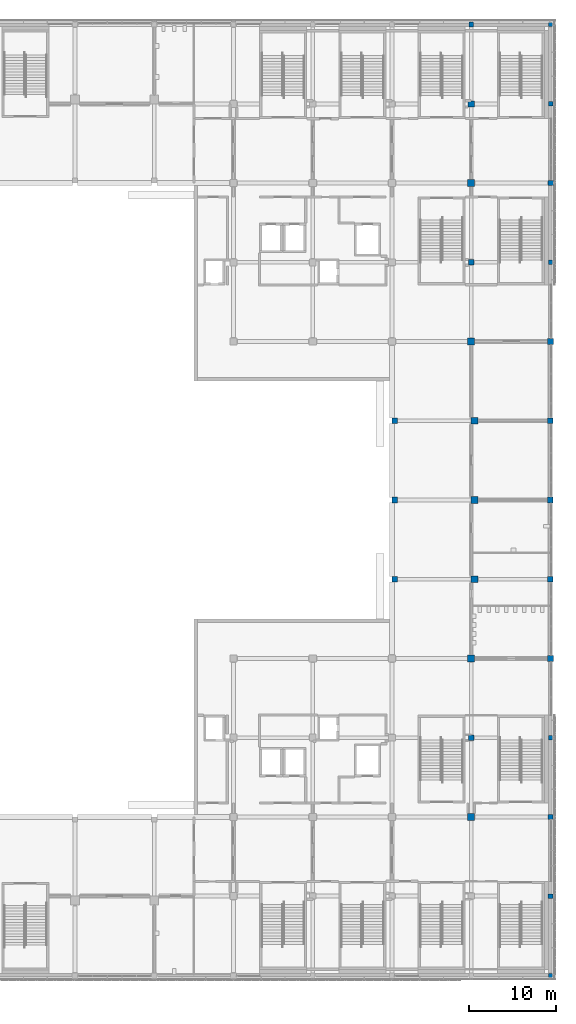
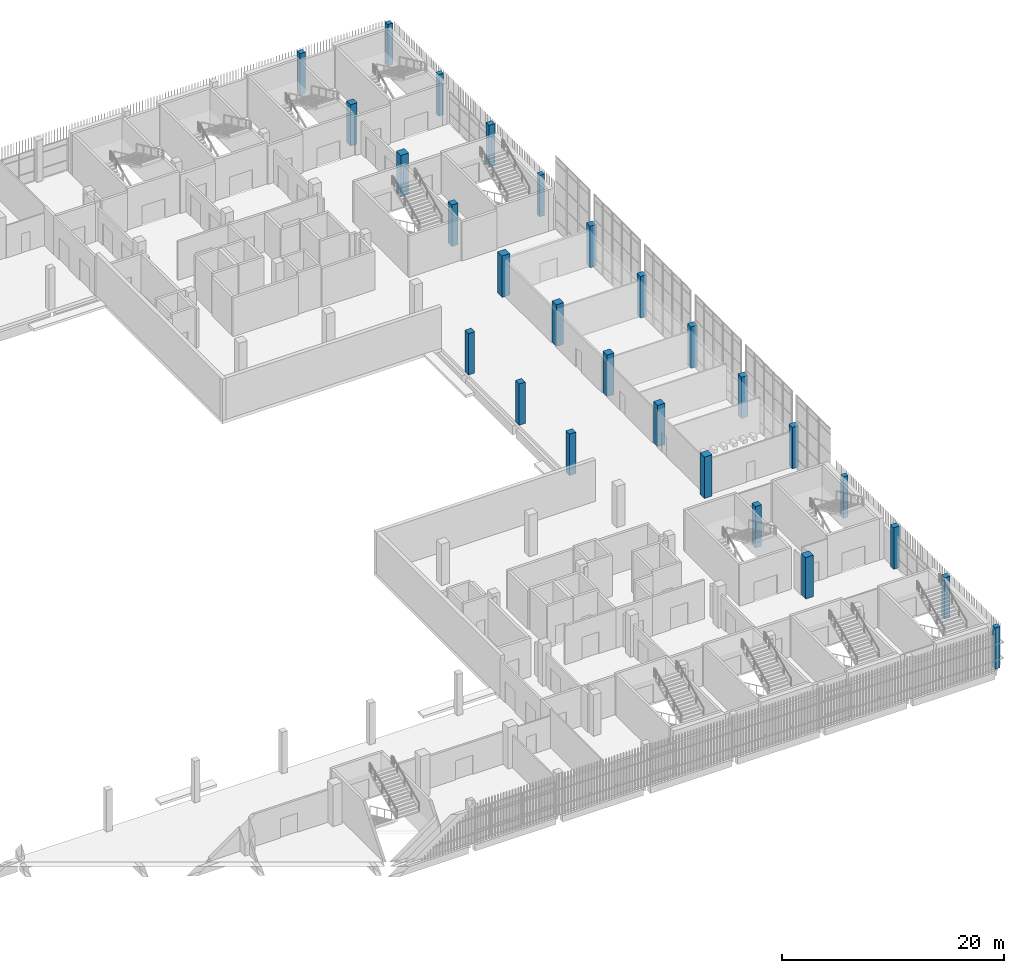
# One storey, part 2 of 126: 27 columns.
"""IFC4 building model written with IfcOpenShell, lengths in metres."""

from ifc_helpers import new_model, si_unit, direction, frame, origin, origin_2d, place, context, subcontext, project, spatial, rectangle, extrude, material, material_profile, profile_set, type_object, element, save


model = new_model("IFC4")

# Units and contexts
model_context = context("Model", 3, precision=1e-05, world=origin(), true_north=direction((0.0, 1.0)))
body_context = subcontext(model_context, "Body", "Model", "MODEL_VIEW")
ifc_project = project(units=[si_unit("LENGTHUNIT", "METRE"), si_unit("AREAUNIT", "SQUARE_METRE"), si_unit("VOLUMEUNIT", "CUBIC_METRE"), si_unit("PLANEANGLEUNIT", "RADIAN"), si_unit("MASSUNIT", "GRAM", prefix="KILO")], contexts=[model_context])

# Site, building, storey
site_placement = place(None, origin())
site = spatial("IfcSite", under=ifc_project, at=site_placement, CompositionType="ELEMENT")
building_placement = place(site_placement, origin())
building = spatial("IfcBuilding", under=site, at=building_placement, Name="Shirokan Park Arena", CompositionType="ELEMENT")
storey_placement = place(building_placement, frame((0.0, 0.0, 6.3701171875)))
storey = spatial("IfcBuildingStorey", under=building, at=storey_placement, Name="L01", CompositionType="ELEMENT", Elevation=6.3701171875)

# Columns
ifc_material = material(Name="Concrete C35", Category="concrete")
ifc_material_profile_1 = material_profile(ifc_material, rectangle(XDim=0.5, YDim=0.5, at=origin_2d()), Name="500x500")
ifc_profile_set_1 = profile_set([ifc_material_profile_1], Name="Concrete C35")
column_type_1 = type_object("IfcColumnType", Name="RC column 500x500", PredefinedType="COLUMN", material=ifc_profile_set_1)
for number, where, z_axis, x_axis, name in (
    (1, (145.60009765625, 0.0, 0.0), (0.0, 0.0, 1.0), (1.0, 0.0, 0.0), "Column 17A L01"),
    (2, (145.60009765625, 27.300048828125, 0.0), (0.0, 0.0, 1.0), (1.0, 0.0, 0.0), "Column 17D L01"),
    (3, (145.60009765625, 81.89990234375, 0.0), (0.0, 0.0, 1.0), (1.0, 0.0, 0.0), "Column 17K L01"),
    (4, (145.625, 100.10009765625, 0.0), (0.0, 0.0, 1.0), (1.0, 0.0, 0.0), "Column 17M L01"),
    (5, (145.60009765625, 109.199951171875, 0.0), (0.0, 0.0, 1.0), (1.0, 0.0, 0.0), "Column 17N L01"),
):
    element("IfcColumn", number, at=place(storey_placement, frame(where, z_axis=z_axis, x_axis=x_axis)), inside=storey, type_object=column_type_1, Name=name, PredefinedType="COLUMN", context=body_context, shape_type="SweptSolid", body=[
        extrude(rectangle(XDim=0.5, YDim=0.5, at=origin_2d()), origin(), (0.0, 0.0, 1.0), 4.5498046875),
    ])
ifc_material_profile_2 = material_profile(ifc_material, rectangle(XDim=0.550048828125, YDim=0.550048828125, at=origin_2d()), Name="550x550")
ifc_profile_set_2 = profile_set([ifc_material_profile_2], Name="Concrete C35")
column_type_2 = type_object("IfcColumnType", Name="RC column 550x550", PredefinedType="COLUMN", material=ifc_profile_set_2)
for number, where, z_axis, x_axis, name in (
    (6, (136.5, 109.199951171875, 0.0), (0.0, 0.0, 1.0), (1.0, 0.0, 0.0), "Column 16N L01"),
    (7, (145.60009765625, 9.10009765625, 0.0), (0.0, 0.0, 1.0), (1.0, 0.0, 0.0), "Column 17B L01"),
):
    element("IfcColumn", number, at=place(storey_placement, frame(where, z_axis=z_axis, x_axis=x_axis)), inside=storey, type_object=column_type_2, Name=name, PredefinedType="COLUMN", context=body_context, shape_type="SweptSolid", body=[
        extrude(rectangle(XDim=0.550048828125, YDim=0.550048828125, at=origin_2d()), origin(), (0.0, 0.0, 1.0), 4.5498046875),
    ])
ifc_material_profile_3 = material_profile(ifc_material, rectangle(XDim=0.60009765625, YDim=0.60009765625, at=origin_2d()), Name="600x600")
ifc_profile_set_3 = profile_set([ifc_material_profile_3], Name="Concrete C35")
column_type_3 = type_object("IfcColumnType", Name="RC column 600x600", PredefinedType="COLUMN", material=ifc_profile_set_3)
for number, where, z_axis, x_axis, name in (
    (8, (145.60009765625, 18.199951171875, 0.0), (0.0, 0.0, 1.0), (1.0, 0.0, 0.0), "Column 17C L01"),
    (9, (145.625, 91.0, 0.0), (0.0, 0.0, 1.0), (1.0, 0.0, 0.0), "Column 17L L01"),
):
    element("IfcColumn", number, at=place(storey_placement, frame(where, z_axis=z_axis, x_axis=x_axis)), inside=storey, type_object=column_type_3, Name=name, PredefinedType="COLUMN", context=body_context, shape_type="SweptSolid", body=[
        extrude(rectangle(XDim=0.60009765625, YDim=0.60009765625, at=origin_2d()), origin(), (0.0, 0.0, 1.0), 4.5498046875),
    ])
ifc_material_profile_4 = material_profile(ifc_material, rectangle(XDim=0.64990234375, YDim=0.64990234375, at=origin_2d()), Name="650x650")
ifc_profile_set_4 = profile_set([ifc_material_profile_4], Name="Concrete C35")
column_type_4 = type_object("IfcColumnType", Name="RC column 650x650", PredefinedType="COLUMN", material=ifc_profile_set_4)
for number, where, z_axis, x_axis, name in (
    (10, (127.72509765625, 45.5, 0.0), (0.0, 0.0, 1.0), (1.0, 0.0, 0.0), "Column 15F L01"),
    (11, (127.72509765625, 54.60009765625, 0.0), (0.0, 0.0, 1.0), (1.0, 0.0, 0.0), "Column 15G L01"),
    (12, (127.72509765625, 63.699951171875, 0.0), (0.0, 0.0, 1.0), (1.0, 0.0, 0.0), "Column 15H L01"),
    (13, (136.5, 27.300048828125, 0.0), (0.0, 0.0, 1.0), (1.0, 0.0, 0.0), "Column 16D L01"),
    (14, (136.5, 81.89990234375, 0.0), (0.0, 0.0, 1.0), (1.0, 0.0, 0.0), "Column 16K L01"),
    (15, (145.60009765625, 36.39990234375, 0.0), (0.0, 0.0, 1.0), (1.0, 0.0, 0.0), "Column 17E L01"),
    (16, (145.574951171875, 45.5, 0.0), (0.0, 0.0, 1.0), (1.0, 0.0, 0.0), "Column 17F L01"),
    (17, (145.574951171875, 54.60009765625, 0.0), (0.0, 0.0, 1.0), (1.0, 0.0, 0.0), "Column 17G L01"),
    (18, (145.574951171875, 63.699951171875, 0.0), (0.0, 0.0, 1.0), (1.0, 0.0, 0.0), "Column 17H L01"),
    (19, (145.60009765625, 72.800048828125, 0.0), (0.0, 0.0, 1.0), (1.0, 0.0, 0.0), "Column 17J L01"),
):
    element("IfcColumn", number, at=place(storey_placement, frame(where, z_axis=z_axis, x_axis=x_axis)), inside=storey, type_object=column_type_4, Name=name, PredefinedType="COLUMN", context=body_context, shape_type="SweptSolid", body=[
        extrude(rectangle(XDim=0.64990234375, YDim=0.64990234375, at=origin_2d()), origin(), (0.0, 0.0, 1.0), 4.5498046875),
    ])
ifc_material_profile_5 = material_profile(ifc_material, rectangle(XDim=0.699951171875, YDim=0.699951171875, at=origin_2d()), Name="700x700")
ifc_profile_set_5 = profile_set([ifc_material_profile_5], Name="Concrete C35")
column_type_5 = type_object("IfcColumnType", Name="RC column 700x700", PredefinedType="COLUMN", material=ifc_profile_set_5)
column_placement = place(storey_placement, frame((136.5, 100.10009765625, 0.0), z_axis=(0.0, 0.0, 1.0), x_axis=(1.0, 0.0, 0.0)))
element("IfcColumn", 20, at=column_placement, inside=storey, type_object=column_type_5, Name="Column 16M L01", PredefinedType="COLUMN", context=body_context, shape_type="SweptSolid", body=[
    extrude(rectangle(XDim=0.699951171875, YDim=0.699951171875, at=origin_2d()), origin(), (0.0, 0.0, 1.0), 4.5498046875),
])
ifc_material_profile_6 = material_profile(ifc_material, rectangle(XDim=0.75, YDim=0.75, at=origin_2d()), Name="750x750")
ifc_profile_set_6 = profile_set([ifc_material_profile_6], Name="Concrete C35")
column_type_6 = type_object("IfcColumnType", Name="RC column 750x750", PredefinedType="COLUMN", material=ifc_profile_set_6)
for number, where, z_axis, x_axis, name in (
    (21, (136.875, 45.5, 0.0), (0.0, 0.0, 1.0), (1.0, 0.0, 0.0), "Column 16F L01"),
    (22, (136.875, 54.60009765625, 0.0), (0.0, 0.0, 1.0), (1.0, 0.0, 0.0), "Column 16G L01"),
    (23, (136.875, 63.699951171875, 0.0), (0.0, 0.0, 1.0), (1.0, 0.0, 0.0), "Column 16H L01"),
):
    element("IfcColumn", number, at=place(storey_placement, frame(where, z_axis=z_axis, x_axis=x_axis)), inside=storey, type_object=column_type_6, Name=name, PredefinedType="COLUMN", context=body_context, shape_type="SweptSolid", body=[
        extrude(rectangle(XDim=0.75, YDim=0.75, at=origin_2d()), origin(), (0.0, 0.0, 1.0), 4.5498046875),
    ])
ifc_material_profile_7 = material_profile(ifc_material, rectangle(XDim=0.800048828125, YDim=0.800048828125, at=origin_2d()), Name="800x800")
ifc_profile_set_7 = profile_set([ifc_material_profile_7], Name="Concrete C35")
column_type_7 = type_object("IfcColumnType", Name="RC column 800x800", PredefinedType="COLUMN", material=ifc_profile_set_7)
for number, where, z_axis, x_axis, name in (
    (24, (136.5, 18.199951171875, 0.0), (0.0, 0.0, 1.0), (1.0, 0.0, 0.0), "Column 16C L01"),
    (25, (136.5, 36.39990234375, 0.0), (0.0, 0.0, 1.0), (1.0, 0.0, 0.0), "Column 16E L01"),
    (26, (136.5, 72.800048828125, 0.0), (0.0, 0.0, 1.0), (1.0, 0.0, 0.0), "Column 16J L01"),
    (27, (136.5, 91.0, 0.0), (0.0, 0.0, 1.0), (1.0, 0.0, 0.0), "Column 16L L01"),
):
    element("IfcColumn", number, at=place(storey_placement, frame(where, z_axis=z_axis, x_axis=x_axis)), inside=storey, type_object=column_type_7, Name=name, PredefinedType="COLUMN", context=body_context, shape_type="SweptSolid", body=[
        extrude(rectangle(XDim=0.800048828125, YDim=0.800048828125, at=origin_2d()), origin(), (0.0, 0.0, 1.0), 4.5498046875),
    ])

save(model, "model.ifc")
